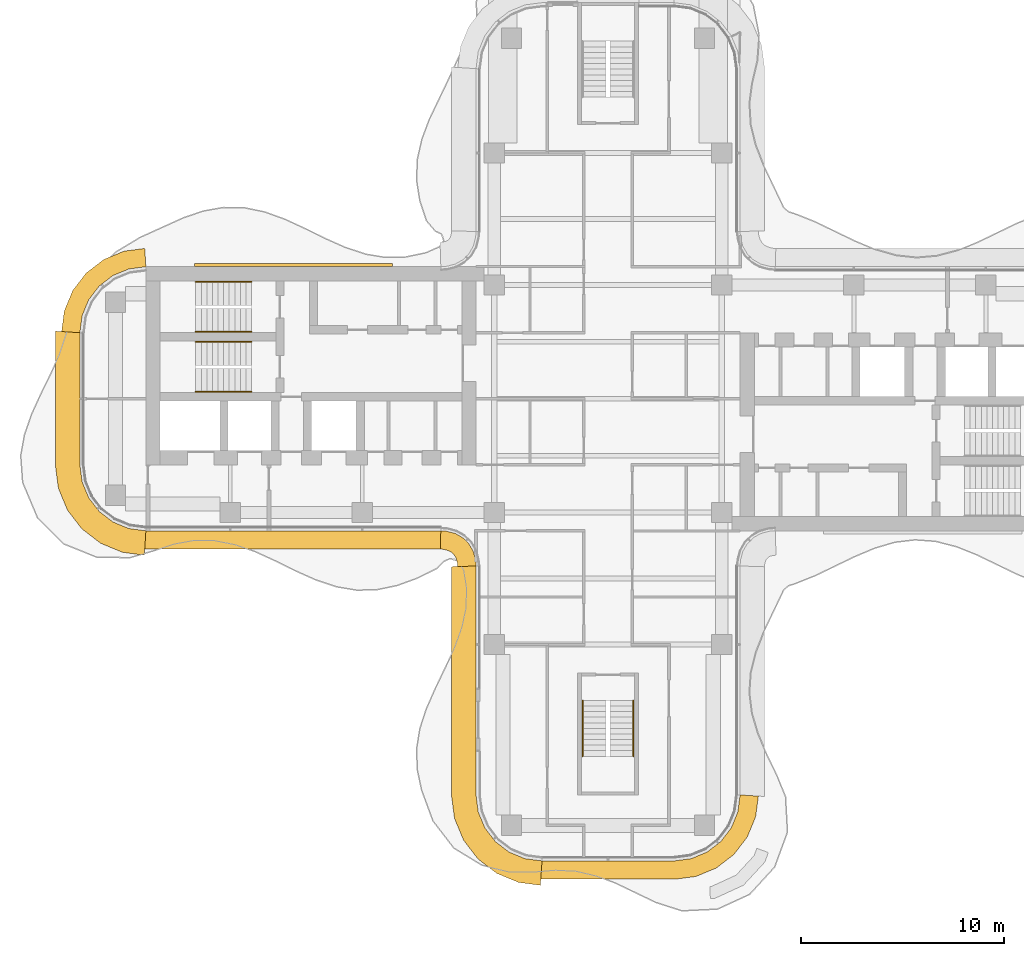
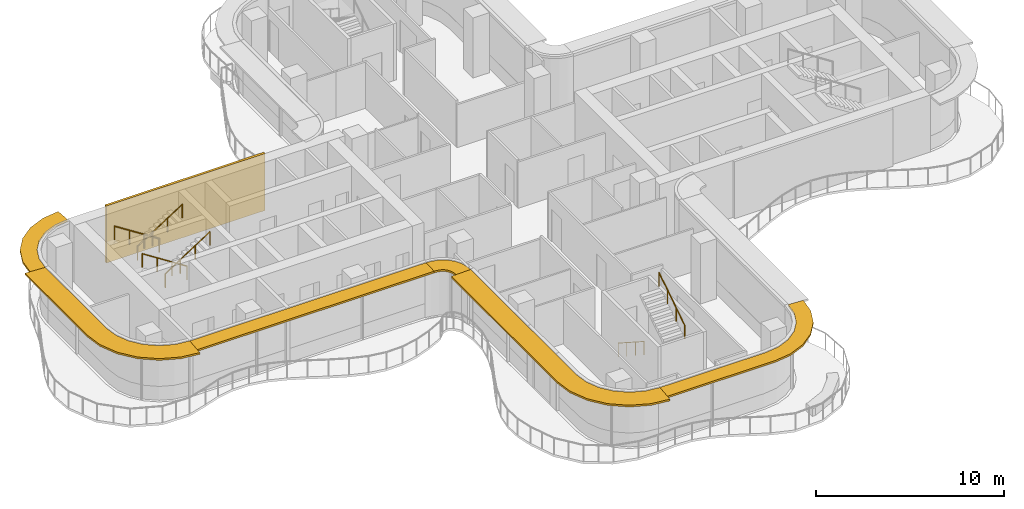
# One storey, part 15 of 16: 6 railings, 6 shading devices, 1 covering.
"""IFC4 building model written with IfcOpenShell, lengths in metres."""

import ifcopenshell
import ifcopenshell.guid

model = None  # the IFC model being written
_history = None  # IfcOwnerHistory: only IFC2X3 demands one
_inside = {}  # id of a spatial element -> (the spatial element, [elements in it])
_under = {}  # id of a project, library or spatial element -> (it, [spatial elements below it])
_declared = {}  # id of a project -> (the project, [libraries it declares])
_typed = {}  # id of a type object -> (the type object, [elements of that type])
_made_of = {}  # id of a material, layer set ... -> (it, [elements and type objects made of it])


def new_model(schema):
    """Start an empty IFC model of exactly this schema.

    Asked for "IFC4X3", IfcOpenShell would pick the latest addendum, in which some entities
    have other attributes; the version numbers below select the first issue.
    IFC2X3 requires an IfcOwnerHistory on every rooted entity: one is made here for all.
    """
    global model, _history
    if schema == "IFC4X3":
        model = ifcopenshell.file(schema_version=(4, 3, 0, 0))
    else:
        model = ifcopenshell.file(schema=schema)
    _inside.clear()
    _under.clear()
    _declared.clear()
    _typed.clear()
    _made_of.clear()
    _history = None
    if model.schema == "IFC2X3":
        org = make("IfcOrganization", Name="unknown")
        user = make(
            "IfcPersonAndOrganization",
            ThePerson=make("IfcPerson", FamilyName="unknown"),
            TheOrganization=org,
        )
        app = make(
            "IfcApplication",
            ApplicationDeveloper=org,
            Version="unknown",
            ApplicationFullName="unknown",
            ApplicationIdentifier="unknown",
        )
        _history = make(
            "IfcOwnerHistory",
            OwningUser=user,
            OwningApplication=app,
            ChangeAction="ADDED",
            CreationDate=0,
        )
    return model


def make(cls, **values):
    """One entity of the class cls with the attributes given. An attribute that is None is left unset."""
    return model.create_entity(
        cls, **{name: value for name, value in values.items() if value is not None}
    )


def rooted(cls, **values):
    """An entity with a GlobalId (a new one), such as an element, a storey or a relation."""
    return make(cls, GlobalId=ifcopenshell.guid.new(), OwnerHistory=_history, **values)


def si_unit(unit_type, name, prefix=None):
    """IfcSIUnit, for example si_unit("LENGTHUNIT", "METRE", prefix="MILLI")."""
    return make("IfcSIUnit", UnitType=unit_type, Prefix=prefix, Name=name)


def assignment(units):
    """IfcUnitAssignment: the units of a project."""
    return None if units is None else make("IfcUnitAssignment", Units=units)


def point(xyz):
    """IfcCartesianPoint."""
    return None if xyz is None else make("IfcCartesianPoint", Coordinates=xyz)


def direction(xyz):
    """IfcDirection."""
    return None if xyz is None else make("IfcDirection", DirectionRatios=xyz)


def frame(location, z_axis=None, x_axis=None):
    """IfcAxis2Placement3D, a coordinate frame: its origin and axes. An axis left out is left unset."""
    return make(
        "IfcAxis2Placement3D",
        Location=point(location),
        Axis=direction(z_axis),
        RefDirection=direction(x_axis),
    )


def frame_2d(location, x_axis=None):
    """IfcAxis2Placement2D, a coordinate frame in the plane: its origin and x axis."""
    return make(
        "IfcAxis2Placement2D", Location=point(location), RefDirection=direction(x_axis)
    )


def origin():
    """The frame at (0, 0, 0) with its axes left unset."""
    return frame((0.0, 0.0, 0.0))


def origin_2d():
    """The frame at (0, 0) in the plane with its x axis left unset."""
    return frame_2d((0.0, 0.0))


def place(relative_to, where):
    """IfcLocalPlacement: puts the frame where relative to a parent placement (None: the world)."""
    return make(
        "IfcLocalPlacement", PlacementRelTo=relative_to, RelativePlacement=where
    )


def context(
    kind, dimensions, precision=None, world=None, true_north=None, identifier=None
):
    """IfcGeometricRepresentationContext, for example the 3D "Model" context."""
    return make(
        "IfcGeometricRepresentationContext",
        ContextIdentifier=identifier,
        ContextType=kind,
        CoordinateSpaceDimension=dimensions,
        Precision=precision,
        WorldCoordinateSystem=world,
        TrueNorth=true_north,
    )


def subcontext(parent, identifier, kind, view, scale=None):
    """IfcGeometricRepresentationSubContext, for example "Body" below "Model"."""
    return make(
        "IfcGeometricRepresentationSubContext",
        ContextIdentifier=identifier,
        ContextType=kind,
        ParentContext=parent,
        TargetScale=scale,
        TargetView=view,
    )


def project(units=None, contexts=None):
    """IfcProject with its units and contexts."""
    return rooted(
        "IfcProject",
        Name="project",
        RepresentationContexts=contexts,
        UnitsInContext=assignment(units),
    )


def spatial(cls, under=None, at=None, **own):
    """A site, building, storey or space (cls), placed at a placement, below another one or the project."""
    s = rooted(cls, ObjectPlacement=at, **own)
    if under is not None:
        _under.setdefault(under.id(), (under, []))[1].append(s)
    return s


def polyline(points):
    """IfcPolyline through the points."""
    return make("IfcPolyline", Points=[point(p) for p in points])


def profile(cls, at=None, kind="AREA", **sizes):
    """A parametric profile (cls). Its sizes go by their IFC names, for example OverallWidth=200.0."""
    return make(cls, ProfileType=kind, Position=at, **sizes)


def circle(**sizes):
    """IfcCircleProfileDef."""
    return profile("IfcCircleProfileDef", **sizes)


def outline(outer, holes=None, kind="AREA"):
    """IfcArbitraryClosedProfileDef: a profile drawn as a closed curve; with holes, ...WithVoids."""
    if holes is None:
        return make("IfcArbitraryClosedProfileDef", ProfileType=kind, OuterCurve=outer)
    return make(
        "IfcArbitraryProfileDefWithVoids",
        ProfileType=kind,
        OuterCurve=outer,
        InnerCurves=holes,
    )


def extrude(swept, where, along, depth):
    """IfcExtrudedAreaSolid: the profile swept, set in the frame where, extruded along a direction by depth."""
    return make(
        "IfcExtrudedAreaSolid",
        SweptArea=swept,
        Position=where,
        ExtrudedDirection=direction(along),
        Depth=depth,
    )


def shape(context_of_items, identifier, shape_type, items):
    """IfcShapeRepresentation: the items that make up one representation, for example the "Body"."""
    return make(
        "IfcShapeRepresentation",
        ContextOfItems=context_of_items,
        RepresentationIdentifier=identifier,
        RepresentationType=shape_type,
        Items=items,
    )


def source(mapping_origin, context_of_items, identifier, shape_type, items):
    """IfcRepresentationMap: a shape defined once, which mapped items show again and again."""
    return make(
        "IfcRepresentationMap",
        MappingOrigin=mapping_origin,
        MappedRepresentation=shape(context_of_items, identifier, shape_type, items),
    )


def transform(
    local_origin,
    x_axis=None,
    y_axis=None,
    z_axis=None,
    scale=None,
    scale2=None,
    scale3=None,
    uniform=True,
):
    """IfcCartesianTransformationOperator3D, or its non-uniform kind. x_axis, y_axis, z_axis: its Axis1, 2, 3."""
    if uniform:
        return make(
            "IfcCartesianTransformationOperator3D",
            Axis1=direction(x_axis),
            Axis2=direction(y_axis),
            LocalOrigin=point(local_origin),
            Scale=scale,
            Axis3=direction(z_axis),
        )
    return make(
        "IfcCartesianTransformationOperator3DnonUniform",
        Axis1=direction(x_axis),
        Axis2=direction(y_axis),
        LocalOrigin=point(local_origin),
        Scale=scale,
        Axis3=direction(z_axis),
        Scale2=scale2,
        Scale3=scale3,
    )


def mapped(mapping_source, mapping_target):
    """IfcMappedItem: shows the shape of a source again, moved by a transform."""
    return make(
        "IfcMappedItem", MappingSource=mapping_source, MappingTarget=mapping_target
    )


def material(Name=None, Category=None):
    """IfcMaterial."""
    return make("IfcMaterial", Name=Name, Category=Category)


def layer(
    of_material, thickness, ventilated=None, Name=None, Category=None, Priority=None
):
    """IfcMaterialLayer: one layer of a wall or slab, of a material (None: an air gap)."""
    return make(
        "IfcMaterialLayer",
        Material=of_material,
        LayerThickness=thickness,
        IsVentilated=ventilated,
        Name=Name,
        Category=Category,
        Priority=Priority,
    )


def layer_set(layers, Name=None):
    """IfcMaterialLayerSet."""
    return make("IfcMaterialLayerSet", MaterialLayers=layers, LayerSetName=Name)


def made_of(thing, what):
    """Note that an element or type object is made of a material, layer set ...; save() writes the relation."""
    if what is not None:
        _made_of.setdefault(what.id(), (what, []))[1].append(thing)
    return thing


def type_object(cls, material=None, **own):
    """A type object (cls), such as IfcWallType, which elements share."""
    return made_of(rooted(cls, **own), material)


def element(
    cls,
    number,
    at=None,
    inside=None,
    cuts=None,
    type_object=None,
    material=None,
    context=None,
    identifier="Body",
    shape_type=None,
    held_by="IfcProductDefinitionShape",
    body=None,
    shapes=None,
    **own,
):
    """One element of the class cls, such as IfcWall. Its Tag is "e" and its number.

    at: its placement. inside: the storey or other place that contains it. cuts: it is an
    opening in that element (IfcRelVoidsElement). A single representation is given by context,
    identifier, shape_type and body (its items); several are given by shapes. held_by: the class
    of the entity that holds the representations. save() writes the other relations.
    """
    e = rooted(cls, Tag="e%d" % number, ObjectPlacement=at, **own)
    if body is not None:
        shapes = [shape(context, identifier, shape_type, body)]
    if shapes is not None:
        e.Representation = make(held_by, Representations=shapes)
    if inside is not None:
        _inside.setdefault(inside.id(), (inside, []))[1].append(e)
    if cuts is not None:
        rooted(
            "IfcRelVoidsElement", RelatingBuildingElement=cuts, RelatedOpeningElement=e
        )
    if type_object is not None:
        _typed.setdefault(type_object.id(), (type_object, []))[1].append(e)
    return made_of(e, material)


def aggregate(whole, parts):
    """IfcRelAggregates: a whole, such as a stair, and the parts it consists of."""
    return rooted("IfcRelAggregates", RelatingObject=whole, RelatedObjects=parts)


def save(model, path):
    """Write the relations noted so far, then the file.

    IfcRelAggregates (storeys below a building ...), IfcRelContainedInSpatialStructure (elements
    in a storey), IfcRelDefinesByType, IfcRelAssociatesMaterial and IfcRelDeclares: one each for
    every whole, place, type object, material and project.
    """
    for whole, parts in _under.values():
        aggregate(whole, parts)
    for where, things in _inside.values():
        rooted(
            "IfcRelContainedInSpatialStructure",
            RelatedElements=things,
            RelatingStructure=where,
        )
    for kind, things in _typed.values():
        rooted("IfcRelDefinesByType", RelatedObjects=things, RelatingType=kind)
    for what, things in _made_of.values():
        rooted("IfcRelAssociatesMaterial", RelatedObjects=things, RelatingMaterial=what)
    for by, libraries in _declared.values():
        rooted("IfcRelDeclares", RelatingContext=by, RelatedDefinitions=libraries)
    model.write(path)


model = new_model("IFC4")

# Units and contexts
model_context = context("Model", 3, precision=1e-05, world=origin(), true_north=direction((0.0, 1.0)))
body_context = subcontext(model_context, "Body", "Model", "MODEL_VIEW")
ifc_project = project(units=[si_unit("LENGTHUNIT", "METRE"), si_unit("AREAUNIT", "SQUARE_METRE"), si_unit("VOLUMEUNIT", "CUBIC_METRE"), si_unit("PLANEANGLEUNIT", "RADIAN"), si_unit("MASSUNIT", "GRAM", prefix="KILO")], contexts=[model_context])

# Site, building, storey
site_placement = place(None, origin())
site = spatial("IfcSite", under=ifc_project, at=site_placement, CompositionType="ELEMENT")
building_placement = place(site_placement, origin())
building = spatial("IfcBuilding", under=site, at=building_placement, Name="Trellis Farm Tower", CompositionType="ELEMENT")
storey_placement = place(building_placement, frame((0.0, 0.0, 302.800048828125)))
storey = spatial("IfcBuildingStorey", under=building, at=storey_placement, Name="L68", CompositionType="ELEMENT", Elevation=302.800048828125)

# Railings
ifc_material_1 = material(Name="Stainless steel", Category="steel")
railing_type = type_object("IfcRailingType", Name="STAIR HANDRAIL 900", PredefinedType="HANDRAIL", material=ifc_material_1)
shared_shape_1 = source(origin(), body_context, "Body", "SweptSolid", [
    extrude(circle(Radius=0.02392578125, at=origin_2d()), frame((0.0, 0.0, 0.8759765625), z_axis=(0.0, 0.840503830235, 0.541805602924), x_axis=(-1.0, 0.0, 0.0)), (0.0, 0.0, 1.0), 3.271728515625),
    extrude(circle(Radius=0.02099609375, at=origin_2d()), origin(), (0.0, 0.0, 1.0), 0.851806640625),
    extrude(circle(Radius=0.02099609375, at=origin_2d()), frame((0.0, 0.916748046875, 0.5908203125)), (0.0, 0.0, 1.0), 0.851806640625),
    extrude(circle(Radius=0.02099609375, at=origin_2d()), frame((0.0, 1.833251953125, 1.181884765625)), (0.0, 0.0, 1.0), 0.851806640625),
    extrude(circle(Radius=0.02099609375, at=origin_2d()), frame((0.0, 2.75, 1.772705078125)), (0.0, 0.0, 1.0), 0.851806640625),
])
railing_1_placement = place(storey_placement, frame((1.25, -17.60009765625, 2.127197265625)))
element("IfcRailing", 1, at=railing_1_placement, inside=storey, type_object=railing_type, Name="Stair handrail", PredefinedType="HANDRAIL", context=body_context, shape_type="MappedRepresentation", body=[
    mapped(shared_shape_1, transform((0.0, 0.0, 0.0))),
])
shared_shape_2 = source(origin(), body_context, "Body", "SweptSolid", [
    extrude(circle(Radius=0.02392578125, at=origin_2d()), frame((0.0, 0.0, 0.8759765625), z_axis=(0.0, -0.840503830235, 0.541805602924), x_axis=(1.0, 0.0, 0.0)), (0.0, 0.0, 1.0), 3.271728515625),
    extrude(circle(Radius=0.02099609375, at=origin_2d()), origin(), (0.0, 0.0, 1.0), 0.851806640625),
    extrude(circle(Radius=0.02099609375, at=origin_2d()), frame((0.0, -0.916748046875, 0.5908203125)), (0.0, 0.0, 1.0), 0.851806640625),
    extrude(circle(Radius=0.02099609375, at=origin_2d()), frame((0.0, -1.833251953125, 1.181884765625)), (0.0, 0.0, 1.0), 0.851806640625),
    extrude(circle(Radius=0.02099609375, at=origin_2d()), frame((0.0, -2.75, 1.772705078125)), (0.0, 0.0, 1.0), 0.851806640625),
])
railing_2_placement = place(storey_placement, frame((-1.25, -14.85009765625, 0.17724609375)))
element("IfcRailing", 2, at=railing_2_placement, inside=storey, type_object=railing_type, Name="Stair handrail", PredefinedType="HANDRAIL", context=body_context, shape_type="MappedRepresentation", body=[
    mapped(shared_shape_2, transform((0.0, 0.0, 0.0))),
])
shared_shape_3 = source(origin(), body_context, "Body", "SweptSolid", [
    extrude(circle(Radius=0.02392578125, at=origin_2d()), frame((0.0, 0.0, 0.8759765625), z_axis=(0.840503830235, 0.0, 0.541805602924), x_axis=(0.0, 1.0, 0.0)), (0.0, 0.0, 1.0), 3.271728515625),
    extrude(circle(Radius=0.02099609375, at=origin_2d()), origin(), (0.0, 0.0, 1.0), 0.851806640625),
    extrude(circle(Radius=0.02099609375, at=origin_2d()), frame((0.916748046875, 0.0, 0.5908203125)), (0.0, 0.0, 1.0), 0.851806640625),
    extrude(circle(Radius=0.02099609375, at=origin_2d()), frame((1.833251953125, 0.0, 1.181884765625)), (0.0, 0.0, 1.0), 0.851806640625),
    extrude(circle(Radius=0.02099609375, at=origin_2d()), frame((2.75, 0.0, 1.772705078125)), (0.0, 0.0, 1.0), 0.851806640625),
])
for number, where, name in (
    (3, (-20.300048828125, 3.300048828125, 2.127197265625), "Stair handrail"),
    (4, (-20.300048828125, 0.35009765625, 2.127197265625), "Stair handrail"),
):
    element("IfcRailing", number, at=place(storey_placement, frame(where)), inside=storey, type_object=railing_type, Name=name, PredefinedType="HANDRAIL", context=body_context, shape_type="MappedRepresentation", body=[
        mapped(shared_shape_3, transform((0.0, 0.0, 0.0))),
    ])
shared_shape_4 = source(origin(), body_context, "Body", "SweptSolid", [
    extrude(circle(Radius=0.02392578125, at=origin_2d()), frame((0.0, 0.0, 0.8759765625), z_axis=(-0.840503830235, 0.0, 0.541805602924), x_axis=(0.0, -1.0, 0.0)), (0.0, 0.0, 1.0), 3.271728515625),
    extrude(circle(Radius=0.02099609375, at=origin_2d()), origin(), (0.0, 0.0, 1.0), 0.851806640625),
    extrude(circle(Radius=0.02099609375, at=origin_2d()), frame((-0.916748046875, 0.0, 0.5908203125)), (0.0, 0.0, 1.0), 0.851806640625),
    extrude(circle(Radius=0.02099609375, at=origin_2d()), frame((-1.833251953125, 0.0, 1.181884765625)), (0.0, 0.0, 1.0), 0.851806640625),
    extrude(circle(Radius=0.02099609375, at=origin_2d()), frame((-2.75, 0.0, 1.772705078125)), (0.0, 0.0, 1.0), 0.851806640625),
])
for number, where, name in (
    (5, (-17.550048828125, 5.75, 0.17724609375), "Stair handrail"),
    (6, (-17.550048828125, 2.800048828125, 0.17724609375), "Stair handrail"),
):
    element("IfcRailing", number, at=place(storey_placement, frame(where)), inside=storey, type_object=railing_type, Name=name, PredefinedType="HANDRAIL", context=body_context, shape_type="MappedRepresentation", body=[
        mapped(shared_shape_4, transform((0.0, 0.0, 0.0))),
    ])

# Shading devices
ifc_material_2 = material(Name="Aluminium extrusion 6063-T6", Category="aluminium")
ifc_layer_1 = layer(ifc_material_2, 0.1201171875)
ifc_layer_set_1 = layer_set([ifc_layer_1], Name="SUNSHADE BLADE 900")
shading_device_type_1 = type_object("IfcShadingDeviceType", Name="SUNSHADE BLADE 900", PredefinedType="USERDEFINED", material=ifc_layer_set_1)
shared_shape_5 = source(origin(), body_context, "Body", "SweptSolid", [
    extrude(outline(polyline([(-8.2607421875, -7.39990234375), (-8.107666015625, -7.409912109375), (-8.091552734375, -7.412109375), (-7.85595703125, -7.475341796875), (-7.697021484375, -7.567138671875), (-7.567138671875, -7.697021484375), (-7.475341796875, -7.85595703125), (-7.412109375, -8.091552734375), (-7.409912109375, -8.107666015625), (-7.39990234375, -8.2607421875), (-6.5, -8.2314453125), (-6.513916015625, -8.01953125), (-6.527587890625, -7.91552734375), (-6.63671875, -7.508544921875), (-6.846923828125, -7.144287109375), (-7.144287109375, -6.846923828125), (-7.508544921875, -6.63671875), (-7.91552734375, -6.527587890625), (-8.01953125, -6.513916015625), (-8.2314453125, -6.5), (-8.2607421875, -7.39990234375)])), origin(), (0.0, 0.0, 1.0), 0.119873046875),
])
placement = place(storey_placement, frame((0.0, 0.0, 3.5400390625)))
element("IfcShadingDevice", 7, at=placement, inside=storey, type_object=shading_device_type_1, Name="SD1 002", ObjectType="SUNSHADE", PredefinedType="USERDEFINED", context=body_context, shape_type="MappedRepresentation", body=[
    mapped(shared_shape_5, transform((0.0, 0.0, 0.0))),
])
ifc_layer_2 = layer(ifc_material_2, 0.1201171875)
ifc_layer_set_2 = layer_set([ifc_layer_2], Name="SUNSHADE BLADE 1200")
shading_device_type_2 = type_object("IfcShadingDeviceType", Name="SUNSHADE BLADE 1200", PredefinedType="USERDEFINED", material=ifc_layer_set_2)
shared_shape_6 = source(origin(), body_context, "Body", "SweptSolid", [
    extrude(outline(polyline([(-7.699951171875, -8.270751953125), (-7.699951171875, -19.57861328125), (-7.558349609375, -20.654541015625), (-7.11279296875, -21.730224609375), (-6.404052734375, -22.654052734375), (-5.480224609375, -23.36279296875), (-4.404541015625, -23.808349609375), (-3.32861328125, -23.949951171875), (-3.25, -22.75), (-4.091064453125, -22.63916015625), (-4.875, -22.314697265625), (-5.548095703125, -21.798095703125), (-6.064697265625, -21.125), (-6.38916015625, -20.341064453125), (-6.5, -19.5), (-6.5, -8.2314453125), (-7.699951171875, -8.270751953125)])), origin(), (0.0, 0.0, 1.0), 0.119873046875),
])
element("IfcShadingDevice", 8, at=placement, inside=storey, type_object=shading_device_type_2, Name="SD2 003", ObjectType="SUNSHADE", PredefinedType="USERDEFINED", context=body_context, shape_type="MappedRepresentation", body=[
    mapped(shared_shape_6, transform((0.0, 0.0, 0.0))),
])
shared_shape_7 = source(origin(), body_context, "Body", "SweptSolid", [
    extrude(outline(polyline([(-3.30908203125, -23.64990234375), (3.30908203125, -23.64990234375), (4.326171875, -23.51611328125), (5.328857421875, -23.100830078125), (6.18994140625, -22.43994140625), (6.850830078125, -21.578857421875), (7.26611328125, -20.576171875), (7.39990234375, -19.55908203125), (6.5, -19.5), (6.38916015625, -20.341064453125), (6.064697265625, -21.125), (5.548095703125, -21.798095703125), (4.875, -22.314697265625), (4.091064453125, -22.63916015625), (3.25, -22.75), (-3.25, -22.75), (-3.30908203125, -23.64990234375)])), origin(), (0.0, 0.0, 1.0), 0.119873046875),
])
element("IfcShadingDevice", 9, at=placement, inside=storey, type_object=shading_device_type_1, Name="SD1 004", ObjectType="SUNSHADE", PredefinedType="USERDEFINED", context=body_context, shape_type="MappedRepresentation", body=[
    mapped(shared_shape_7, transform((0.0, 0.0, 0.0))),
])

# Covering
ifc_material_3 = material(Name="Perforated precast screen (cobogo)", Category="concrete")
ifc_layer_3 = layer(ifc_material_3, 0.14990234375)
ifc_layer_set_3 = layer_set([ifc_layer_3], Name="COBOGO SCREEN PANEL")
covering_type = type_object("IfcCoveringType", Name="COBOGO SCREEN PANEL", PredefinedType="USERDEFINED", material=ifc_layer_set_3)
shared_shape_8 = source(origin(), body_context, "Body", "SweptSolid", [
    extrude(outline(polyline([(-10.61572265625, 6.64990234375), (-20.36572265625, 6.64990234375), (-20.36572265625, 6.5), (-10.61572265625, 6.5), (-10.61572265625, 6.64990234375)])), origin(), (0.0, 0.0, 1.0), 3.699951171875),
])
covering_placement = place(storey_placement, origin())
element("IfcCovering", 10, at=covering_placement, inside=storey, type_object=covering_type, Name="SC1 03", ObjectType="SCREEN", PredefinedType="USERDEFINED", context=body_context, shape_type="MappedRepresentation", body=[
    mapped(shared_shape_8, transform((0.0, 0.0, 0.0))),
])

# Shading devices
shared_shape_9 = source(origin(), body_context, "Body", "SweptSolid", [
    extrude(outline(polyline([(-22.80908203125, -7.39990234375), (-8.2607421875, -7.39990234375), (-8.2314453125, -6.5), (-22.75, -6.5), (-22.80908203125, -7.39990234375)])), origin(), (0.0, 0.0, 1.0), 0.119873046875),
])
element("IfcShadingDevice", 11, at=placement, inside=storey, type_object=shading_device_type_1, Name="SD1 001", ObjectType="SUNSHADE", PredefinedType="USERDEFINED", context=body_context, shape_type="MappedRepresentation", body=[
    mapped(shared_shape_9, transform((0.0, 0.0, 0.0))),
])
shared_shape_10 = source(origin(), body_context, "Body", "SweptSolid", [
    extrude(outline(polyline([(-22.80908203125, 7.39990234375), (-23.826171875, 7.26611328125), (-24.828857421875, 6.850830078125), (-25.68994140625, 6.18994140625), (-26.350830078125, 5.328857421875), (-26.76611328125, 4.326171875), (-26.89990234375, 3.30908203125), (-26.0, 3.25), (-25.88916015625, 4.091064453125), (-25.564697265625, 4.875), (-25.048095703125, 5.548095703125), (-24.375, 6.064697265625), (-23.591064453125, 6.38916015625), (-22.75, 6.5), (-22.80908203125, 7.39990234375)])), origin(), (0.0, 0.0, 1.0), 0.119873046875),
])
element("IfcShadingDevice", 12, at=placement, inside=storey, type_object=shading_device_type_1, Name="SD1 016", ObjectType="SUNSHADE", PredefinedType="USERDEFINED", context=body_context, shape_type="MappedRepresentation", body=[
    mapped(shared_shape_10, transform((0.0, 0.0, 0.0))),
])
shared_shape_11 = source(origin(), body_context, "Body", "SweptSolid", [
    extrude(outline(polyline([(-27.199951171875, 3.32861328125), (-27.199951171875, -3.32861328125), (-27.058349609375, -4.404541015625), (-26.61279296875, -5.480224609375), (-25.904052734375, -6.404052734375), (-24.980224609375, -7.11279296875), (-23.904541015625, -7.558349609375), (-22.82861328125, -7.699951171875), (-22.75, -6.5), (-23.591064453125, -6.38916015625), (-24.375, -6.064697265625), (-25.048095703125, -5.548095703125), (-25.564697265625, -4.875), (-25.88916015625, -4.091064453125), (-26.0, -3.25), (-26.0, 3.25), (-27.199951171875, 3.32861328125)])), origin(), (0.0, 0.0, 1.0), 0.119873046875),
])
element("IfcShadingDevice", 13, at=placement, inside=storey, type_object=shading_device_type_2, Name="SD2 017", ObjectType="SUNSHADE", PredefinedType="USERDEFINED", context=body_context, shape_type="MappedRepresentation", body=[
    mapped(shared_shape_11, transform((0.0, 0.0, 0.0))),
])

save(model, "model.ifc")
